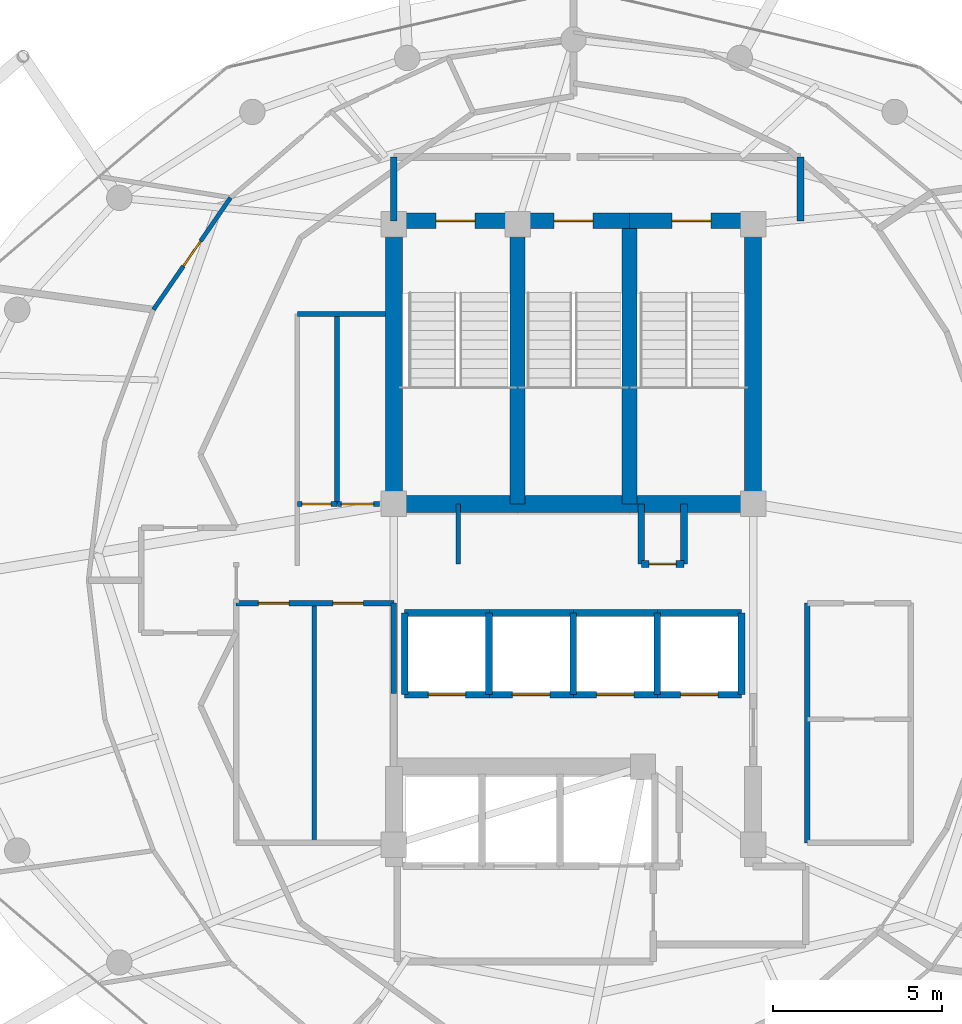
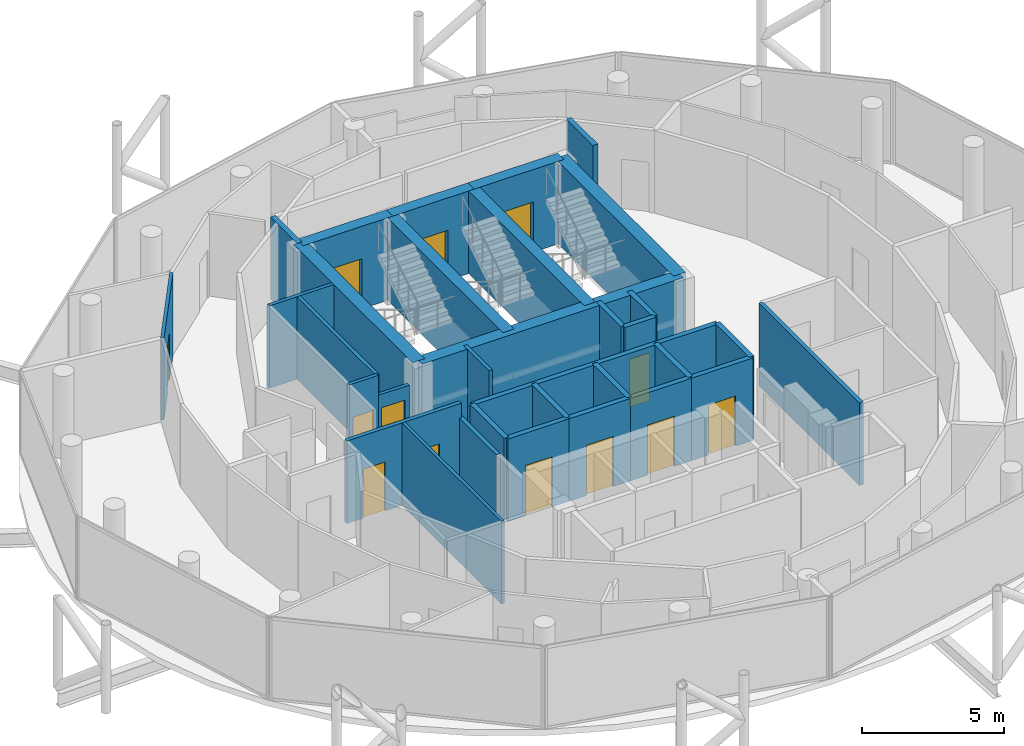
# One storey, part 21 of 24: 36 walls, 13 doors, 13 openings.
"""IFC4 building model written with IfcOpenShell, lengths in metres."""

from ifc_helpers import new_model, si_unit, direction, frame, frame_2d, origin, place, context, subcontext, project, spatial, rectangle, extrude, material, layer, layer_set, type_object, element, fill, save


model = new_model("IFC4")

# Units and contexts
model_context = context("Model", 3, precision=1e-05, world=origin(), true_north=direction((0.0, 1.0)))
body_context = subcontext(model_context, "Body", "Model", "MODEL_VIEW")
ifc_project = project(units=[si_unit("LENGTHUNIT", "METRE"), si_unit("AREAUNIT", "SQUARE_METRE"), si_unit("VOLUMEUNIT", "CUBIC_METRE"), si_unit("PLANEANGLEUNIT", "RADIAN"), si_unit("MASSUNIT", "GRAM", prefix="KILO")], contexts=[model_context])

# Site, building, storey
site_placement = place(None, origin())
site = spatial("IfcSite", under=ifc_project, at=site_placement, CompositionType="ELEMENT")
building_placement = place(site_placement, origin())
building = spatial("IfcBuilding", under=site, at=building_placement, Name="Nuhasar Tower", CompositionType="ELEMENT")
storey_placement = place(building_placement, frame((0.0, 0.0, 274.60009765625)))
storey = spatial("IfcBuildingStorey", under=building, at=storey_placement, Name="L68", CompositionType="ELEMENT", Elevation=274.60009765625)

# Wall, opening, door
ifc_material_1 = material(Name="Concrete C50/60", Category="concrete")
ifc_layer_1 = layer(ifc_material_1, 0.449951171875)
ifc_layer_set_1 = layer_set([ifc_layer_1], Name="Concrete C50/60")
wall_type_1 = type_object("IfcWallType", Name="WL-CORE-450", PredefinedType="SHEAR", material=ifc_layer_set_1)
wall_1_placement = place(storey_placement, frame((37.35009765625, 37.39990234375, 0.0), z_axis=(0.0, 0.0, 1.0), x_axis=(-1.0, 0.0, 0.0)))
wall_1 = element("IfcWall", 1, at=wall_1_placement, inside=storey, type_object=wall_type_1, Name="L68 Stairwell Shear Wall ST01-N", PredefinedType="SHEAR", context=body_context, shape_type="SweptSolid", body=[
    extrude(rectangle(XDim=3.650146484375, YDim=0.449951171875, at=frame_2d((1.8251953125, 0.0))), origin(), (0.0, 0.0, 1.0), 3.539794921875),
])
opening_1_placement = place(wall_1_placement, frame((1.25, 0.0, 0.0)))
opening_1 = element("IfcOpeningElement", 2, at=opening_1_placement, cuts=wall_1, Name="Opening DS-01", PredefinedType="OPENING", context=body_context, shape_type="SweptSolid", body=[
    extrude(rectangle(XDim=1.14990234375, YDim=2.14990234375, at=frame_2d((0.574951171875, 1.074951171875))), frame((0.0, 0.23486328125, 0.0), z_axis=(0.0, -1.0, 0.0), x_axis=(1.0, 0.0, 0.0)), (0.0, 0.0, 1.0), 0.469970703125),
])
ifc_material_2 = material(Name="Steel S355", Category="steel")
door_type_1 = type_object("IfcDoorType", Name="DR-STAIR-FD120-1150", OperationType="NOTDEFINED", PredefinedType="DOOR", material=ifc_material_2)
door_1_placement = place(opening_1_placement, origin())
door_1 = element("IfcDoor", 3, at=door_1_placement, inside=storey, type_object=door_type_1, Name="L68 Exit Stair ST-01 Door", OperationType="SINGLE_SWING_RIGHT", OverallHeight=2.14990234375, OverallWidth=1.14990234375, PredefinedType="DOOR", context=body_context, shape_type="SweptSolid", body=[
    extrude(rectangle(XDim=1.14990234375, YDim=2.14990234375, at=frame_2d((0.574951171875, 1.074951171875))), frame((0.0, 0.02490234375, 0.0), z_axis=(0.0, -1.0, 0.0), x_axis=(1.0, 0.0, 0.0)), (0.0, 0.0, 1.0), 0.050048828125),
])
fill(opening_1, door_1)

# Wall
wall_2_placement = place(storey_placement, frame((37.35009765625, 29.050048828125, 0.0), z_axis=(0.0, 0.0, 1.0), x_axis=(0.0, 1.0, 0.0)))
element("IfcWall", 4, at=wall_2_placement, inside=storey, type_object=wall_type_1, Name="L68 Stairwell Shear Wall ST01-E", PredefinedType="SHEAR", context=body_context, shape_type="SweptSolid", body=[
    extrude(rectangle(XDim=8.349853515625, YDim=0.449951171875, at=frame_2d((4.1748046875, 0.0))), origin(), (0.0, 0.0, 1.0), 3.539794921875),
])

# Wall, opening, door
wall_3_placement = place(storey_placement, frame((40.64990234375, 37.39990234375, 0.0), z_axis=(0.0, 0.0, 1.0), x_axis=(-1.0, 0.0, 0.0)))
wall_3 = element("IfcWall", 5, at=wall_3_placement, inside=storey, type_object=wall_type_1, Name="L68 Stairwell Shear Wall ST03-N", PredefinedType="SHEAR", context=body_context, shape_type="SweptSolid", body=[
    extrude(rectangle(XDim=3.2998046875, YDim=0.449951171875, at=frame_2d((1.64990234375, 0.0))), origin(), (0.0, 0.0, 1.0), 3.539794921875),
])
opening_2_placement = place(wall_3_placement, frame((1.074951171875, 0.0, 0.0)))
opening_2 = element("IfcOpeningElement", 6, at=opening_2_placement, cuts=wall_3, Name="Opening DS-01", PredefinedType="OPENING", context=body_context, shape_type="SweptSolid", body=[
    extrude(rectangle(XDim=1.14990234375, YDim=2.14990234375, at=frame_2d((0.574951171875, 1.074951171875))), frame((0.0, 0.23486328125, 0.0), z_axis=(0.0, -1.0, 0.0), x_axis=(1.0, 0.0, 0.0)), (0.0, 0.0, 1.0), 0.469970703125),
])
door_2_placement = place(opening_2_placement, origin())
door_2 = element("IfcDoor", 7, at=door_2_placement, inside=storey, type_object=door_type_1, Name="L68 Exit Stair ST-03 Door", OperationType="SINGLE_SWING_RIGHT", OverallHeight=2.14990234375, OverallWidth=1.14990234375, PredefinedType="DOOR", context=body_context, shape_type="SweptSolid", body=[
    extrude(rectangle(XDim=1.14990234375, YDim=2.14990234375, at=frame_2d((0.574951171875, 1.074951171875))), frame((0.0, 0.02490234375, 0.0), z_axis=(0.0, -1.0, 0.0), x_axis=(1.0, 0.0, 0.0)), (0.0, 0.0, 1.0), 0.050048828125),
])
fill(opening_2, door_2)

# Wall
wall_4_placement = place(storey_placement, frame((40.64990234375, 29.050048828125, 0.0), z_axis=(0.0, 0.0, 1.0), x_axis=(0.0, 1.0, 0.0)))
element("IfcWall", 8, at=wall_4_placement, inside=storey, type_object=wall_type_1, Name="L68 Stairwell Shear Wall ST03-E", PredefinedType="SHEAR", context=body_context, shape_type="SweptSolid", body=[
    extrude(rectangle(XDim=8.349853515625, YDim=0.449951171875, at=frame_2d((4.1748046875, 0.0))), origin(), (0.0, 0.0, 1.0), 3.539794921875),
])

# Wall, opening, door
wall_5_placement = place(storey_placement, frame((44.300048828125, 37.39990234375, 0.0), z_axis=(0.0, 0.0, 1.0), x_axis=(-1.0, 0.0, 0.0)))
wall_5 = element("IfcWall", 9, at=wall_5_placement, inside=storey, type_object=wall_type_1, Name="L68 Stairwell Shear Wall ST02-N", PredefinedType="SHEAR", context=body_context, shape_type="SweptSolid", body=[
    extrude(rectangle(XDim=3.650146484375, YDim=0.449951171875, at=frame_2d((1.8251953125, 0.0))), origin(), (0.0, 0.0, 1.0), 3.539794921875),
])
opening_3_placement = place(wall_5_placement, frame((1.25, 0.0, 0.0)))
opening_3 = element("IfcOpeningElement", 10, at=opening_3_placement, cuts=wall_5, Name="Opening DS-01", PredefinedType="OPENING", context=body_context, shape_type="SweptSolid", body=[
    extrude(rectangle(XDim=1.14990234375, YDim=2.14990234375, at=frame_2d((0.574951171875, 1.074951171875))), frame((0.0, 0.23486328125, 0.0), z_axis=(0.0, -1.0, 0.0), x_axis=(1.0, 0.0, 0.0)), (0.0, 0.0, 1.0), 0.469970703125),
])
door_3_placement = place(opening_3_placement, origin())
door_3 = element("IfcDoor", 11, at=door_3_placement, inside=storey, type_object=door_type_1, Name="L68 Exit Stair ST-02 Door", OperationType="SINGLE_SWING_LEFT", OverallHeight=2.14990234375, OverallWidth=1.14990234375, PredefinedType="DOOR", context=body_context, shape_type="SweptSolid", body=[
    extrude(rectangle(XDim=1.14990234375, YDim=2.14990234375, at=frame_2d((0.574951171875, 1.074951171875))), frame((0.0, 0.02490234375, 0.0), z_axis=(0.0, -1.0, 0.0), x_axis=(1.0, 0.0, 0.0)), (0.0, 0.0, 1.0), 0.050048828125),
])
fill(opening_3, door_3)

# Walls
ifc_layer_2 = layer(ifc_material_1, 0.5)
ifc_layer_set_2 = layer_set([ifc_layer_2], Name="Concrete C50/60")
wall_type_2 = type_object("IfcWallType", Name="WL-CORE-500", PredefinedType="SHEAR", material=ifc_layer_set_2)
for number, where, z_axis, x_axis, name in (
    (12, (33.699951171875, 29.050048828125, 0.0), (0.0, 0.0, 1.0), (0.0, 1.0, 0.0), "L68 Core Shear Wall CW-NW CW-500"),
    (13, (44.300048828125, 29.050048828125, 0.0), (0.0, 0.0, 1.0), (0.0, 1.0, 0.0), "L68 Core Shear Wall CW-NE CW-500"),
):
    element("IfcWall", number, at=place(storey_placement, frame(where, z_axis=z_axis, x_axis=x_axis)), inside=storey, type_object=wall_type_2, Name=name, PredefinedType="SHEAR", context=body_context, shape_type="SweptSolid", body=[
        extrude(rectangle(XDim=8.349853515625, YDim=0.5, at=frame_2d((4.1748046875, 0.0))), origin(), (0.0, 0.0, 1.0), 3.539794921875),
    ])
wall_6_placement = place(storey_placement, frame((33.699951171875, 29.050048828125, 0.0), z_axis=(0.0, 0.0, 1.0), x_axis=(1.0, 0.0, 0.0)))
element("IfcWall", 14, at=wall_6_placement, inside=storey, type_object=wall_type_2, Name="L68 Core Shear Wall CW-N1 CW-500", PredefinedType="SHEAR", context=body_context, shape_type="SweptSolid", body=[
    extrude(rectangle(XDim=10.60009765625, YDim=0.5, at=frame_2d((5.300048828125, 0.0))), origin(), (0.0, 0.0, 1.0), 3.539794921875),
])
ifc_material_3 = material(Name="Gypsum Board", Category="gypsum")
ifc_layer_3 = layer(ifc_material_3, 0.159912109375)
ifc_layer_set_3 = layer_set([ifc_layer_3], Name="Gypsum Board")
wall_type_3 = type_object("IfcWallType", Name="WL-CORR-160", PredefinedType="PARTITIONING", material=ifc_layer_set_3)
wall_7_placement = place(storey_placement, frame((33.699951171875, 23.449951171875, 0.0), z_axis=(0.0, 0.0, 1.0), x_axis=(0.0, 1.0, 0.0)))
element("IfcWall", 15, at=wall_7_placement, inside=storey, type_object=wall_type_3, Name="L68 Interior Partition RECL-B1-E", PredefinedType="PARTITIONING", context=body_context, shape_type="SweptSolid", body=[
    extrude(rectangle(XDim=2.670166015625, YDim=0.159912109375, at=frame_2d((1.3349609375, 0.0))), origin(), (0.0, 0.0, 1.0), 2.9248046875),
])

# Wall, openings, doors
wall_8_placement = place(storey_placement, frame((33.699951171875, 26.1201171875, 0.0), z_axis=(0.0, 0.0, 1.0), x_axis=(-1.0, 0.0, 0.0)))
wall_8 = element("IfcWall", 16, at=wall_8_placement, inside=storey, type_object=wall_type_3, Name="L68 Interior Partition RECL-B1-N", PredefinedType="PARTITIONING", context=body_context, shape_type="SweptSolid", body=[
    extrude(rectangle(XDim=4.64990234375, YDim=0.159912109375, at=frame_2d((2.324951171875, 0.0))), origin(), (0.0, 0.0, 1.0), 3.539794921875),
])
opening_4_placement = place(wall_8_placement, frame((3.10009765625, 0.0, 0.0)))
opening_4 = element("IfcOpeningElement", 17, at=opening_4_placement, cuts=wall_8, Name="Opening DR-01", PredefinedType="OPENING", context=body_context, shape_type="SweptSolid", body=[
    extrude(rectangle(XDim=0.89990234375, YDim=2.10009765625, at=frame_2d((0.449951171875, 1.050048828125))), frame((0.0, 0.08984375, 0.0), z_axis=(0.0, -1.0, 0.0), x_axis=(1.0, 0.0, 0.0)), (0.0, 0.0, 1.0), 0.179931640625),
])
opening_5_placement = place(wall_8_placement, frame((0.89990234375, 0.0, 0.0)))
opening_5 = element("IfcOpeningElement", 18, at=opening_5_placement, cuts=wall_8, Name="Opening DR-01", PredefinedType="OPENING", context=body_context, shape_type="SweptSolid", body=[
    extrude(rectangle(XDim=0.89990234375, YDim=2.10009765625, at=frame_2d((0.449951171875, 1.050048828125))), frame((0.0, 0.08984375, 0.0), z_axis=(0.0, -1.0, 0.0), x_axis=(1.0, 0.0, 0.0)), (0.0, 0.0, 1.0), 0.179931640625),
])
ifc_material_4 = material(Name="Timber Oak", Category="wood")
door_type_2 = type_object("IfcDoorType", Name="DR-ROOM-900", OperationType="NOTDEFINED", PredefinedType="DOOR", material=ifc_material_4)
door_4_placement = place(opening_4_placement, origin())
door_4 = element("IfcDoor", 19, at=door_4_placement, inside=storey, type_object=door_type_2, Name="L68 Housekeeping Door", OperationType="SINGLE_SWING_RIGHT", OverallHeight=2.10009765625, OverallWidth=0.89990234375, PredefinedType="DOOR", context=body_context, shape_type="SweptSolid", body=[
    extrude(rectangle(XDim=0.89990234375, YDim=2.10009765625, at=frame_2d((0.449951171875, 1.050048828125))), frame((0.0, 0.02490234375, 0.0), z_axis=(0.0, -1.0, 0.0), x_axis=(1.0, 0.0, 0.0)), (0.0, 0.0, 1.0), 0.050048828125),
])
fill(opening_4, door_4)
door_5_placement = place(opening_5_placement, origin())
door_5 = element("IfcDoor", 20, at=door_5_placement, inside=storey, type_object=door_type_2, Name="L68 Valet Pantry Door", OperationType="SINGLE_SWING_LEFT", OverallHeight=2.10009765625, OverallWidth=0.89990234375, PredefinedType="DOOR", context=body_context, shape_type="SweptSolid", body=[
    extrude(rectangle(XDim=0.89990234375, YDim=2.10009765625, at=frame_2d((0.449951171875, 1.050048828125))), frame((0.0, 0.02490234375, 0.0), z_axis=(0.0, -1.0, 0.0), x_axis=(1.0, 0.0, 0.0)), (0.0, 0.0, 1.0), 0.050048828125),
])
fill(opening_5, door_5)

# Walls
wall_9_placement = place(storey_placement, frame((45.89990234375, 19.050048828125, 0.0), z_axis=(0.0, 0.0, 1.0), x_axis=(0.0, 1.0, 0.0)))
element("IfcWall", 21, at=wall_9_placement, inside=storey, type_object=wall_type_3, Name="L68 Interior Partition RECL-B2-W", PredefinedType="PARTITIONING", context=body_context, shape_type="SweptSolid", body=[
    extrude(rectangle(XDim=7.070068359375, YDim=0.159912109375, at=frame_2d((3.53515625, 0.0))), origin(), (0.0, 0.0, 1.0), 3.539794921875),
])
ifc_material_5 = material(Name="Concrete C45/55", Category="concrete")
ifc_layer_4 = layer(ifc_material_5, 0.199951171875)
ifc_layer_set_4 = layer_set([ifc_layer_4], Name="Concrete C45/55")
wall_type_4 = type_object("IfcWallType", Name="WL-LOBBY-200", PredefinedType="SOLIDWALL", material=ifc_layer_set_4)
for number, where, z_axis, x_axis, name in (
    (22, (33.699951171875, 37.39990234375, 0.0), (0.0, 0.0, 1.0), (0.0, 1.0, 0.0), "L68 Interior Partition NSL-W"),
    (23, (45.699951171875, 37.39990234375, 0.0), (0.0, 0.0, 1.0), (0.0, 1.0, 0.0), "L68 Interior Partition NSL-E"),
):
    element("IfcWall", number, at=place(storey_placement, frame(where, z_axis=z_axis, x_axis=x_axis)), inside=storey, type_object=wall_type_4, Name=name, PredefinedType="SOLIDWALL", context=body_context, shape_type="SweptSolid", body=[
        extrude(rectangle(XDim=1.880126953125, YDim=0.199951171875, at=frame_2d((0.93994140625, 0.0))), origin(), (0.0, 0.0, 1.0), 3.539794921875),
    ])
ifc_layer_5 = layer(ifc_material_3, 0.125)
ifc_layer_set_5 = layer_set([ifc_layer_5], Name="Gypsum Board")
wall_type_5 = type_object("IfcWallType", Name="WL-PART-125", PredefinedType="PARTITIONING", material=ifc_layer_set_5)
wall_10_placement = place(storey_placement, frame((31.35009765625, 19.050048828125, 0.0), z_axis=(0.0, 0.0, 1.0), x_axis=(0.0, 1.0, 0.0)))
element("IfcWall", 24, at=wall_10_placement, inside=storey, type_object=wall_type_5, Name="L68 Interior Partition RECL-B1-V", PredefinedType="PARTITIONING", context=body_context, shape_type="SweptSolid", body=[
    extrude(rectangle(XDim=7.070068359375, YDim=0.125, at=frame_2d((3.53515625, 0.0))), origin(), (0.0, 0.0, 1.0), 3.539794921875),
])

# Wall, opening, door
wall_11_placement = place(storey_placement, frame((26.60693359375, 34.780029296875, 0.0), z_axis=(0.0, 0.0, 1.0), x_axis=(0.566872278325, 0.82380569315, 0.0)))
wall_11 = element("IfcWall", 25, at=wall_11_placement, inside=storey, type_object=wall_type_5, Name="L68 Interior Partition USM-1-D-18", PredefinedType="PARTITIONING", context=body_context, shape_type="SweptSolid", body=[
    extrude(rectangle(XDim=4.01171875, YDim=0.125, at=frame_2d((2.005859375, 0.0))), origin(), (0.0, 0.0, 1.0), 3.539794921875),
])
opening_6_placement = place(wall_11_placement, frame((1.555908203125, 0.0, 0.0)))
opening_6 = element("IfcOpeningElement", 26, at=opening_6_placement, cuts=wall_11, Name="Opening DR-01", PredefinedType="OPENING", context=body_context, shape_type="SweptSolid", body=[
    extrude(rectangle(XDim=0.89990234375, YDim=2.10009765625, at=frame_2d((0.449951171875, 1.050048828125))), frame((0.0, 0.072509765625, 0.0), z_axis=(0.0, -1.0, 0.0), x_axis=(1.0, 0.0, 0.0)), (0.0, 0.0, 1.0), 0.14501953125),
])
door_6_placement = place(opening_6_placement, origin())
door_6 = element("IfcDoor", 27, at=door_6_placement, inside=storey, type_object=door_type_2, Name="L68 North-West Sky Home Living Door", OperationType="SINGLE_SWING_RIGHT", OverallHeight=2.10009765625, OverallWidth=0.89990234375, PredefinedType="DOOR", context=body_context, shape_type="SweptSolid", body=[
    extrude(rectangle(XDim=0.89990234375, YDim=2.10009765625, at=frame_2d((0.449951171875, 1.050048828125))), frame((0.0, 0.02490234375, 0.0), z_axis=(0.0, -1.0, 0.0), x_axis=(1.0, 0.0, 0.0)), (0.0, 0.0, 1.0), 0.050048828125),
])
fill(opening_6, door_6)

# Walls
ifc_layer_6 = layer(ifc_material_5, 0.199951171875)
ifc_layer_set_6 = layer_set([ifc_layer_6], Name="Concrete C45/55")
wall_type_6 = type_object("IfcWallType", Name="WL-SHAFT-200", PredefinedType="SOLIDWALL", material=ifc_layer_set_6)
for number, where, z_axis, x_axis, name in (
    (28, (41.0, 27.280029296875, 0.0), (0.0, 0.0, 1.0), (0.0, 1.0, 0.0), "L68 Interior Partition RSRN-W"),
    (29, (42.260009765625, 27.280029296875, 0.0), (0.0, 0.0, 1.0), (0.0, 1.0, 0.0), "L68 Interior Partition RSRN-E"),
):
    element("IfcWall", number, at=place(storey_placement, frame(where, z_axis=z_axis, x_axis=x_axis)), inside=storey, type_object=wall_type_6, Name=name, PredefinedType="SOLIDWALL", context=body_context, shape_type="SweptSolid", body=[
        extrude(rectangle(XDim=1.77001953125, YDim=0.199951171875, at=frame_2d((0.885009765625, 0.0))), origin(), (0.0, 0.0, 1.0), 3.539794921875),
    ])

# Wall, opening, door
wall_12_placement = place(storey_placement, frame((41.0, 27.280029296875, 0.0), z_axis=(0.0, 0.0, 1.0), x_axis=(1.0, 0.0, 0.0)))
wall_12 = element("IfcWall", 30, at=wall_12_placement, inside=storey, type_object=wall_type_6, Name="L68 Interior Partition RSRN-S", PredefinedType="SOLIDWALL", context=body_context, shape_type="SweptSolid", body=[
    extrude(rectangle(XDim=1.260009765625, YDim=0.199951171875, at=frame_2d((0.6298828125, 0.0))), origin(), (0.0, 0.0, 1.0), 3.539794921875),
])
opening_7_placement = place(wall_12_placement, frame((0.22998046875, 0.0, 0.0)))
opening_7 = element("IfcOpeningElement", 31, at=opening_7_placement, cuts=wall_12, Name="Opening DM-01", PredefinedType="OPENING", context=body_context, shape_type="SweptSolid", body=[
    extrude(rectangle(XDim=0.800048828125, YDim=2.050048828125, at=frame_2d((0.39990234375, 1.02490234375))), frame((0.0, 0.10986328125, 0.0), z_axis=(0.0, -1.0, 0.0), x_axis=(1.0, 0.0, 0.0)), (0.0, 0.0, 1.0), 0.219970703125),
])
door_type_3 = type_object("IfcDoorType", Name="DR-RISER-FD60-800", OperationType="NOTDEFINED", PredefinedType="DOOR", material=ifc_material_2)
door_7_placement = place(opening_7_placement, origin())
door_7 = element("IfcDoor", 32, at=door_7_placement, inside=storey, type_object=door_type_3, Name="L68 North Smoke Riser Door", OperationType="SINGLE_SWING_RIGHT", OverallHeight=2.050048828125, OverallWidth=0.800048828125, PredefinedType="DOOR", context=body_context, shape_type="SweptSolid", body=[
    extrude(rectangle(XDim=0.800048828125, YDim=2.050048828125, at=frame_2d((0.39990234375, 1.02490234375))), frame((0.0, 0.02490234375, 0.0), z_axis=(0.0, -1.0, 0.0), x_axis=(1.0, 0.0, 0.0)), (0.0, 0.0, 1.0), 0.050048828125),
])
fill(opening_7, door_7)

wall_13_placement = place(storey_placement, frame((34.02001953125, 23.419921875, 0.0), z_axis=(0.0, 0.0, 1.0), x_axis=(1.0, 0.0, 0.0)))
wall_13 = element("IfcWall", 33, at=wall_13_placement, inside=storey, type_object=wall_type_6, Name="L68 Interior Partition SHF-PL-H01-S", PredefinedType="SOLIDWALL", context=body_context, shape_type="SweptSolid", body=[
    extrude(rectangle(XDim=2.5, YDim=0.199951171875, at=frame_2d((1.25, 0.0))), origin(), (0.0, 0.0, 1.0), 3.539794921875),
])
opening_8_placement = place(wall_13_placement, frame((0.699951171875, 0.0, 0.0)))
opening_8 = element("IfcOpeningElement", 34, at=opening_8_placement, cuts=wall_13, Name="Opening LD-H01", PredefinedType="OPENING", context=body_context, shape_type="SweptSolid", body=[
    extrude(rectangle(XDim=1.10009765625, YDim=2.14990234375, at=frame_2d((0.550048828125, 1.074951171875))), frame((0.0, 0.10986328125, 0.0), z_axis=(0.0, -1.0, 0.0), x_axis=(1.0, 0.0, 0.0)), (0.0, 0.0, 1.0), 0.219970703125),
])
ifc_material_6 = material(Name="Stainless Steel 316L", Category="steel")
door_type_4 = type_object("IfcDoorType", Name="LD-PAX-1100", OperationType="DOUBLE_DOOR_SLIDING", PredefinedType="DOOR", material=ifc_material_6)
door_8_placement = place(opening_8_placement, origin())
door_8 = element("IfcDoor", 35, at=door_8_placement, inside=storey, type_object=door_type_4, Name="L68 Lift Landing Door PL-H01", OperationType="DOUBLE_DOOR_SLIDING", OverallHeight=2.14990234375, OverallWidth=1.10009765625, PredefinedType="DOOR", context=body_context, shape_type="SweptSolid", body=[
    extrude(rectangle(XDim=1.10009765625, YDim=2.14990234375, at=frame_2d((0.550048828125, 1.074951171875))), frame((0.0, 0.02490234375, 0.0), z_axis=(0.0, -1.0, 0.0), x_axis=(1.0, 0.0, 0.0)), (0.0, 0.0, 1.0), 0.050048828125),
])
fill(opening_8, door_8)

# Walls
wall_14_placement = place(storey_placement, frame((34.02001953125, 25.830078125, 0.0), z_axis=(0.0, 0.0, 1.0), x_axis=(1.0, 0.0, 0.0)))
element("IfcWall", 36, at=wall_14_placement, inside=storey, type_object=wall_type_6, Name="L68 Interior Partition SHF-PL-H01-N", PredefinedType="SOLIDWALL", context=body_context, shape_type="SweptSolid", body=[
    extrude(rectangle(XDim=2.5, YDim=0.199951171875, at=frame_2d((1.25, 0.0))), origin(), (0.0, 0.0, 1.0), 3.539794921875),
])
for number, where, z_axis, x_axis, name in (
    (37, (34.02001953125, 23.419921875, 0.0), (0.0, 0.0, 1.0), (0.0, 1.0, 0.0), "L68 Interior Partition SHF-PL-H01-W"),
    (38, (36.510009765625, 23.419921875, 0.0), (0.0, 0.0, 1.0), (0.0, 1.0, 0.0), "L68 Interior Partition SHF-PL-H01-E"),
):
    element("IfcWall", number, at=place(storey_placement, frame(where, z_axis=z_axis, x_axis=x_axis)), inside=storey, type_object=wall_type_6, Name=name, PredefinedType="SOLIDWALL", context=body_context, shape_type="SweptSolid", body=[
        extrude(rectangle(XDim=2.41015625, YDim=0.199951171875, at=frame_2d((1.205078125, 0.0))), origin(), (0.0, 0.0, 1.0), 3.539794921875),
    ])

# Wall, opening, door
wall_15_placement = place(storey_placement, frame((36.5, 23.419921875, 0.0), z_axis=(0.0, 0.0, 1.0), x_axis=(1.0, 0.0, 0.0)))
wall_15 = element("IfcWall", 39, at=wall_15_placement, inside=storey, type_object=wall_type_6, Name="L68 Interior Partition SHF-PL-H02-S", PredefinedType="SOLIDWALL", context=body_context, shape_type="SweptSolid", body=[
    extrude(rectangle(XDim=2.5, YDim=0.199951171875, at=frame_2d((1.25, 0.0))), origin(), (0.0, 0.0, 1.0), 3.539794921875),
])
opening_9_placement = place(wall_15_placement, frame((0.699951171875, 0.0, 0.0)))
opening_9 = element("IfcOpeningElement", 40, at=opening_9_placement, cuts=wall_15, Name="Opening LD-H02", PredefinedType="OPENING", context=body_context, shape_type="SweptSolid", body=[
    extrude(rectangle(XDim=1.10009765625, YDim=2.14990234375, at=frame_2d((0.550048828125, 1.074951171875))), frame((0.0, 0.10986328125, 0.0), z_axis=(0.0, -1.0, 0.0), x_axis=(1.0, 0.0, 0.0)), (0.0, 0.0, 1.0), 0.219970703125),
])
door_9_placement = place(opening_9_placement, origin())
door_9 = element("IfcDoor", 41, at=door_9_placement, inside=storey, type_object=door_type_4, Name="L68 Lift Landing Door PL-H02", OperationType="DOUBLE_DOOR_SLIDING", OverallHeight=2.14990234375, OverallWidth=1.10009765625, PredefinedType="DOOR", context=body_context, shape_type="SweptSolid", body=[
    extrude(rectangle(XDim=1.10009765625, YDim=2.14990234375, at=frame_2d((0.550048828125, 1.074951171875))), frame((0.0, 0.02490234375, 0.0), z_axis=(0.0, -1.0, 0.0), x_axis=(1.0, 0.0, 0.0)), (0.0, 0.0, 1.0), 0.050048828125),
])
fill(opening_9, door_9)

# Walls
wall_16_placement = place(storey_placement, frame((36.5, 25.830078125, 0.0), z_axis=(0.0, 0.0, 1.0), x_axis=(1.0, 0.0, 0.0)))
element("IfcWall", 42, at=wall_16_placement, inside=storey, type_object=wall_type_6, Name="L68 Interior Partition SHF-PL-H02-N", PredefinedType="SOLIDWALL", context=body_context, shape_type="SweptSolid", body=[
    extrude(rectangle(XDim=2.5, YDim=0.199951171875, at=frame_2d((1.25, 0.0))), origin(), (0.0, 0.0, 1.0), 3.539794921875),
])
wall_17_placement = place(storey_placement, frame((38.989990234375, 23.419921875, 0.0), z_axis=(0.0, 0.0, 1.0), x_axis=(0.0, 1.0, 0.0)))
element("IfcWall", 43, at=wall_17_placement, inside=storey, type_object=wall_type_6, Name="L68 Interior Partition SHF-PL-H02-E", PredefinedType="SOLIDWALL", context=body_context, shape_type="SweptSolid", body=[
    extrude(rectangle(XDim=2.41015625, YDim=0.199951171875, at=frame_2d((1.205078125, 0.0))), origin(), (0.0, 0.0, 1.0), 3.539794921875),
])

# Wall, opening, door
wall_18_placement = place(storey_placement, frame((38.97998046875, 23.419921875, 0.0), z_axis=(0.0, 0.0, 1.0), x_axis=(1.0, 0.0, 0.0)))
wall_18 = element("IfcWall", 44, at=wall_18_placement, inside=storey, type_object=wall_type_6, Name="L68 Interior Partition SHF-PL-H03-S", PredefinedType="SOLIDWALL", context=body_context, shape_type="SweptSolid", body=[
    extrude(rectangle(XDim=2.5, YDim=0.199951171875, at=frame_2d((1.25, 0.0))), origin(), (0.0, 0.0, 1.0), 3.539794921875),
])
opening_10_placement = place(wall_18_placement, frame((0.699951171875, 0.0, 0.0)))
opening_10 = element("IfcOpeningElement", 45, at=opening_10_placement, cuts=wall_18, Name="Opening LD-H03", PredefinedType="OPENING", context=body_context, shape_type="SweptSolid", body=[
    extrude(rectangle(XDim=1.10009765625, YDim=2.14990234375, at=frame_2d((0.550048828125, 1.074951171875))), frame((0.0, 0.10986328125, 0.0), z_axis=(0.0, -1.0, 0.0), x_axis=(1.0, 0.0, 0.0)), (0.0, 0.0, 1.0), 0.219970703125),
])
door_10_placement = place(opening_10_placement, origin())
door_10 = element("IfcDoor", 46, at=door_10_placement, inside=storey, type_object=door_type_4, Name="L68 Lift Landing Door PL-H03", OperationType="DOUBLE_DOOR_SLIDING", OverallHeight=2.14990234375, OverallWidth=1.10009765625, PredefinedType="DOOR", context=body_context, shape_type="SweptSolid", body=[
    extrude(rectangle(XDim=1.10009765625, YDim=2.14990234375, at=frame_2d((0.550048828125, 1.074951171875))), frame((0.0, 0.02490234375, 0.0), z_axis=(0.0, -1.0, 0.0), x_axis=(1.0, 0.0, 0.0)), (0.0, 0.0, 1.0), 0.050048828125),
])
fill(opening_10, door_10)

# Walls
wall_19_placement = place(storey_placement, frame((38.97998046875, 25.830078125, 0.0), z_axis=(0.0, 0.0, 1.0), x_axis=(1.0, 0.0, 0.0)))
element("IfcWall", 47, at=wall_19_placement, inside=storey, type_object=wall_type_6, Name="L68 Interior Partition SHF-PL-H03-N", PredefinedType="SOLIDWALL", context=body_context, shape_type="SweptSolid", body=[
    extrude(rectangle(XDim=2.5, YDim=0.199951171875, at=frame_2d((1.25, 0.0))), origin(), (0.0, 0.0, 1.0), 3.539794921875),
])
wall_20_placement = place(storey_placement, frame((41.469970703125, 23.419921875, 0.0), z_axis=(0.0, 0.0, 1.0), x_axis=(0.0, 1.0, 0.0)))
element("IfcWall", 48, at=wall_20_placement, inside=storey, type_object=wall_type_6, Name="L68 Interior Partition SHF-PL-H03-E", PredefinedType="SOLIDWALL", context=body_context, shape_type="SweptSolid", body=[
    extrude(rectangle(XDim=2.41015625, YDim=0.199951171875, at=frame_2d((1.205078125, 0.0))), origin(), (0.0, 0.0, 1.0), 3.539794921875),
])

# Wall, opening, door
wall_21_placement = place(storey_placement, frame((41.4599609375, 23.419921875, 0.0), z_axis=(0.0, 0.0, 1.0), x_axis=(1.0, 0.0, 0.0)))
wall_21 = element("IfcWall", 49, at=wall_21_placement, inside=storey, type_object=wall_type_6, Name="L68 Interior Partition SHF-PL-H04-S", PredefinedType="SOLIDWALL", context=body_context, shape_type="SweptSolid", body=[
    extrude(rectangle(XDim=2.5, YDim=0.199951171875, at=frame_2d((1.25, 0.0))), origin(), (0.0, 0.0, 1.0), 3.539794921875),
])
opening_11_placement = place(wall_21_placement, frame((0.699951171875, 0.0, 0.0)))
opening_11 = element("IfcOpeningElement", 50, at=opening_11_placement, cuts=wall_21, Name="Opening LD-H04", PredefinedType="OPENING", context=body_context, shape_type="SweptSolid", body=[
    extrude(rectangle(XDim=1.10009765625, YDim=2.14990234375, at=frame_2d((0.550048828125, 1.074951171875))), frame((0.0, 0.10986328125, 0.0), z_axis=(0.0, -1.0, 0.0), x_axis=(1.0, 0.0, 0.0)), (0.0, 0.0, 1.0), 0.219970703125),
])
door_11_placement = place(opening_11_placement, origin())
door_11 = element("IfcDoor", 51, at=door_11_placement, inside=storey, type_object=door_type_4, Name="L68 Lift Landing Door PL-H04", OperationType="DOUBLE_DOOR_SLIDING", OverallHeight=2.14990234375, OverallWidth=1.10009765625, PredefinedType="DOOR", context=body_context, shape_type="SweptSolid", body=[
    extrude(rectangle(XDim=1.10009765625, YDim=2.14990234375, at=frame_2d((0.550048828125, 1.074951171875))), frame((0.0, 0.02490234375, 0.0), z_axis=(0.0, -1.0, 0.0), x_axis=(1.0, 0.0, 0.0)), (0.0, 0.0, 1.0), 0.050048828125),
])
fill(opening_11, door_11)

# Walls
wall_22_placement = place(storey_placement, frame((41.4599609375, 25.830078125, 0.0), z_axis=(0.0, 0.0, 1.0), x_axis=(1.0, 0.0, 0.0)))
element("IfcWall", 52, at=wall_22_placement, inside=storey, type_object=wall_type_6, Name="L68 Interior Partition SHF-PL-H04-N", PredefinedType="SOLIDWALL", context=body_context, shape_type="SweptSolid", body=[
    extrude(rectangle(XDim=2.5, YDim=0.199951171875, at=frame_2d((1.25, 0.0))), origin(), (0.0, 0.0, 1.0), 3.539794921875),
])
wall_23_placement = place(storey_placement, frame((43.9599609375, 23.419921875, 0.0), z_axis=(0.0, 0.0, 1.0), x_axis=(0.0, 1.0, 0.0)))
element("IfcWall", 53, at=wall_23_placement, inside=storey, type_object=wall_type_6, Name="L68 Interior Partition SHF-PL-H04-E", PredefinedType="SOLIDWALL", context=body_context, shape_type="SweptSolid", body=[
    extrude(rectangle(XDim=2.41015625, YDim=0.199951171875, at=frame_2d((1.205078125, 0.0))), origin(), (0.0, 0.0, 1.0), 3.539794921875),
])
ifc_material_7 = material(Name="Concrete C40/50 precast", Category="concrete")
ifc_layer_7 = layer(ifc_material_7, 0.139892578125)
ifc_layer_set_7 = layer_set([ifc_layer_7], Name="Concrete C40/50 precast")
wall_type_7 = type_object("IfcWallType", Name="WL-WET-140", PredefinedType="PARTITIONING", material=ifc_layer_set_7)
wall_24_placement = place(storey_placement, frame((35.60009765625, 27.280029296875, 0.0), z_axis=(0.0, 0.0, 1.0), x_axis=(0.0, 1.0, 0.0)))
element("IfcWall", 54, at=wall_24_placement, inside=storey, type_object=wall_type_7, Name="L68 Interior Partition CSVC-W", PredefinedType="PARTITIONING", context=body_context, shape_type="SweptSolid", body=[
    extrude(rectangle(XDim=1.77001953125, YDim=0.139892578125, at=frame_2d((0.885009765625, 0.0))), origin(), (0.0, 0.0, 1.0), 3.539794921875),
])

# Wall, opening, door
wall_25_placement = place(storey_placement, frame((30.85009765625, 29.050048828125, 0.0), z_axis=(0.0, 0.0, 1.0), x_axis=(1.0, 0.0, 0.0)))
wall_25 = element("IfcWall", 55, at=wall_25_placement, inside=storey, type_object=wall_type_7, Name="L68 Interior Partition K2-NW-S", PredefinedType="PARTITIONING", context=body_context, shape_type="SweptSolid", body=[
    extrude(rectangle(XDim=1.179931640625, YDim=0.139892578125, at=frame_2d((0.58984375, 0.0))), origin(), (0.0, 0.0, 1.0), 3.539794921875),
])
opening_12_placement = place(wall_25_placement, frame((0.139892578125, 0.0, 0.0)))
opening_12 = element("IfcOpeningElement", 56, at=opening_12_placement, cuts=wall_25, Name="Opening DB-01", PredefinedType="OPENING", context=body_context, shape_type="SweptSolid", body=[
    extrude(rectangle(XDim=0.85009765625, YDim=2.10009765625, at=frame_2d((0.425048828125, 1.050048828125))), frame((0.0, 0.080078125, 0.0), z_axis=(0.0, -1.0, 0.0), x_axis=(1.0, 0.0, 0.0)), (0.0, 0.0, 1.0), 0.159912109375),
])
door_type_5 = type_object("IfcDoorType", Name="DR-BATH-850", OperationType="NOTDEFINED", PredefinedType="DOOR", material=ifc_material_4)
door_12_placement = place(opening_12_placement, origin())
door_12 = element("IfcDoor", 57, at=door_12_placement, inside=storey, type_object=door_type_5, Name="L68 NW Female WC Door", OperationType="SINGLE_SWING_LEFT", OverallHeight=2.10009765625, OverallWidth=0.85009765625, PredefinedType="DOOR", context=body_context, shape_type="SweptSolid", body=[
    extrude(rectangle(XDim=0.85009765625, YDim=2.10009765625, at=frame_2d((0.425048828125, 1.050048828125))), frame((0.0, 0.02490234375, 0.0), z_axis=(0.0, -1.0, 0.0), x_axis=(1.0, 0.0, 0.0)), (0.0, 0.0, 1.0), 0.050048828125),
])
fill(opening_12, door_12)

wall_26_placement = place(storey_placement, frame((32.030029296875, 29.050048828125, 0.0), z_axis=(0.0, 0.0, 1.0), x_axis=(1.0, 0.0, 0.0)))
wall_26 = element("IfcWall", 58, at=wall_26_placement, inside=storey, type_object=wall_type_7, Name="L68 Interior Partition K2-NW-S", PredefinedType="PARTITIONING", context=body_context, shape_type="SweptSolid", body=[
    extrude(rectangle(XDim=1.25, YDim=0.139892578125, at=frame_2d((0.625, 0.0))), origin(), (0.0, 0.0, 1.0), 2.679931640625),
])
opening_13_placement = place(wall_26_placement, frame((0.1201171875, 0.0, 0.0)))
opening_13 = element("IfcOpeningElement", 59, at=opening_13_placement, cuts=wall_26, Name="Opening DA-01", PredefinedType="OPENING", context=body_context, shape_type="SweptSolid", body=[
    extrude(rectangle(XDim=0.949951171875, YDim=2.10009765625, at=frame_2d((0.47509765625, 1.050048828125))), frame((0.0, 0.080078125, 0.0), z_axis=(0.0, -1.0, 0.0), x_axis=(1.0, 0.0, 0.0)), (0.0, 0.0, 1.0), 0.159912109375),
])
door_type_6 = type_object("IfcDoorType", Name="DR-ACCWC-950", OperationType="NOTDEFINED", PredefinedType="DOOR", material=ifc_material_4)
door_13_placement = place(opening_13_placement, origin())
door_13 = element("IfcDoor", 60, at=door_13_placement, inside=storey, type_object=door_type_6, Name="L68 NW Accessible WC Door", OperationType="SINGLE_SWING_RIGHT", OverallHeight=2.10009765625, OverallWidth=0.949951171875, PredefinedType="DOOR", context=body_context, shape_type="SweptSolid", body=[
    extrude(rectangle(XDim=0.949951171875, YDim=2.10009765625, at=frame_2d((0.47509765625, 1.050048828125))), frame((0.0, 0.02490234375, 0.0), z_axis=(0.0, -1.0, 0.0), x_axis=(1.0, 0.0, 0.0)), (0.0, 0.0, 1.0), 0.050048828125),
])
fill(opening_13, door_13)

# Walls
wall_27_placement = place(storey_placement, frame((32.02001953125, 29.050048828125, 0.0), z_axis=(0.0, 0.0, 1.0), x_axis=(0.0, 1.0, 0.0)))
element("IfcWall", 61, at=wall_27_placement, inside=storey, type_object=wall_type_7, Name="L68 Interior Partition K2-NW-V", PredefinedType="PARTITIONING", context=body_context, shape_type="SweptSolid", body=[
    extrude(rectangle(XDim=5.599853515625, YDim=0.139892578125, at=frame_2d((2.7998046875, 0.0))), origin(), (0.0, 0.0, 1.0), 3.539794921875),
])
wall_28_placement = place(storey_placement, frame((30.85009765625, 34.64990234375, 0.0), z_axis=(0.0, 0.0, 1.0), x_axis=(1.0, 0.0, 0.0)))
element("IfcWall", 62, at=wall_28_placement, inside=storey, type_object=wall_type_7, Name="L68 Interior Partition K2-NW-N", PredefinedType="PARTITIONING", context=body_context, shape_type="SweptSolid", body=[
    extrude(rectangle(XDim=2.599853515625, YDim=0.139892578125, at=frame_2d((1.2998046875, 0.0))), origin(), (0.0, 0.0, 1.0), 3.539794921875),
])

save(model, "model.ifc")
